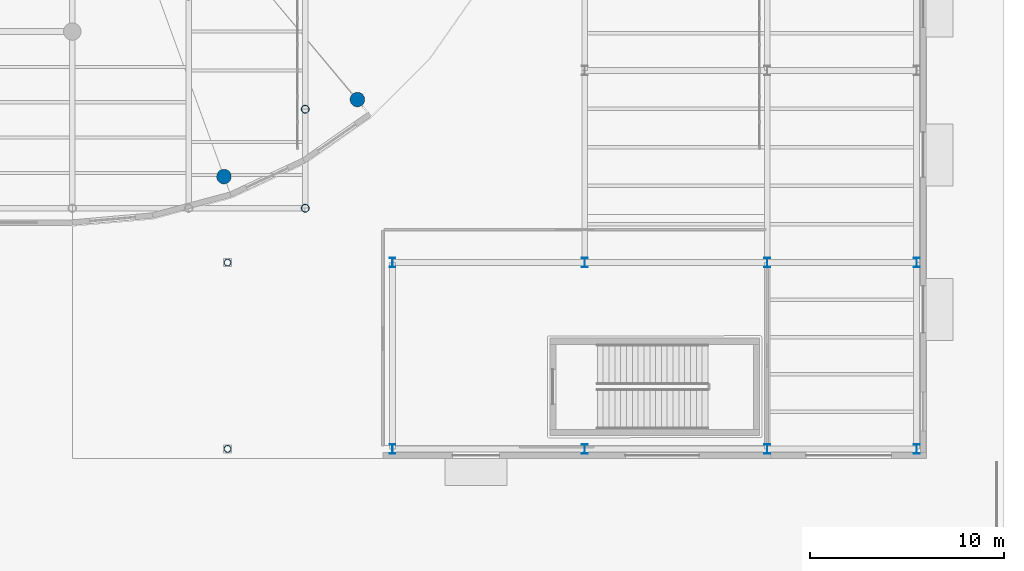
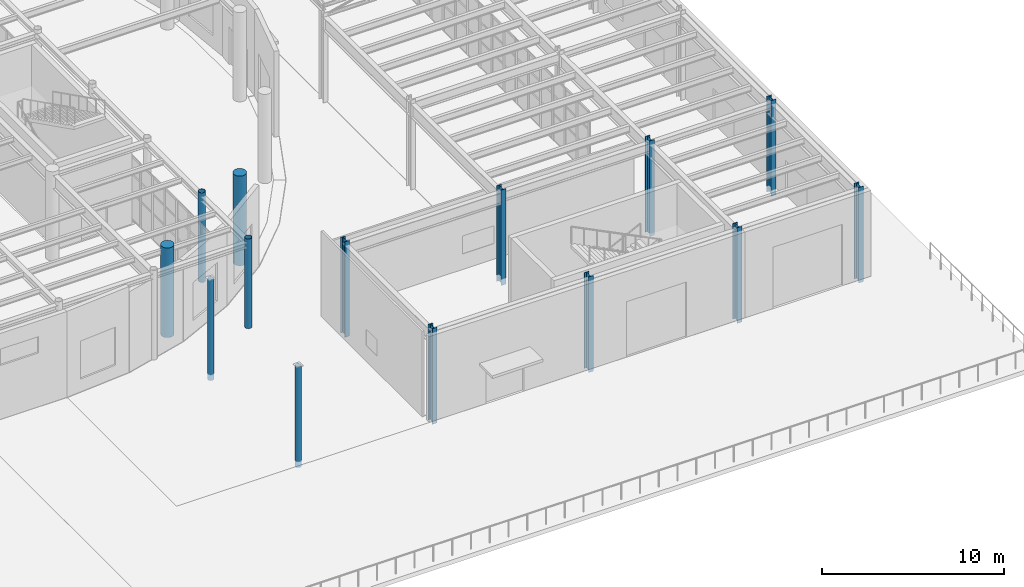
# One storey, part 13 of 118: 14 columns.
"""IFC4 building model written with IfcOpenShell, lengths in metres."""

from ifc_helpers import new_model, si_unit, direction, frame, origin, origin_2d, place, context, subcontext, project, spatial, circle, hollow_circle, i_section, extrude, material, material_profile, profile_set, type_object, element, save


model = new_model("IFC4")

# Units and contexts
model_context = context("Model", 3, precision=1e-05, world=origin(), true_north=direction((0.0, 1.0)))
body_context = subcontext(model_context, "Body", "Model", "MODEL_VIEW")
ifc_project = project(units=[si_unit("LENGTHUNIT", "METRE"), si_unit("AREAUNIT", "SQUARE_METRE"), si_unit("VOLUMEUNIT", "CUBIC_METRE"), si_unit("PLANEANGLEUNIT", "RADIAN"), si_unit("MASSUNIT", "GRAM", prefix="KILO")], contexts=[model_context])

# Site, building, storey
site_placement = place(None, origin())
site = spatial("IfcSite", under=ifc_project, at=site_placement, CompositionType="ELEMENT")
building_placement = place(site_placement, origin())
building = spatial("IfcBuilding", under=site, at=building_placement, Name="Kolvaren Corner Interchange", CompositionType="ELEMENT")
storey_placement = place(building_placement, origin())
storey = spatial("IfcBuildingStorey", under=building, at=storey_placement, Name="L01", CompositionType="ELEMENT", Elevation=0.0)

# Columns
ifc_material_1 = material(Name="Steel S355", Category="steel")
ifc_material_profile_1 = material_profile(ifc_material_1, hollow_circle(Radius=0.177734375, WallThickness=0.01416015625, at=origin_2d()), Name="CHS 355.6x14.2")
ifc_profile_set_1 = profile_set([ifc_material_profile_1], Name="Steel S355")
column_type_1 = type_object("IfcColumnType", Name="COL-CHS356", PredefinedType="COLUMN", material=ifc_profile_set_1)
for number, where, z_axis, x_axis, name in (
    (1, (128.0, 12.5, -0.39990234375), (0.0, 0.0, 1.0), (1.0, 0.0, 0.0), "Storey L01 Structural Column 0940"),
    (2, (128.0, 22.10009765625, -0.39990234375), (0.0, 0.0, 1.0), (1.0, 0.0, 0.0), "Storey L01 Structural Column 0941"),
):
    element("IfcColumn", number, at=place(storey_placement, frame(where, z_axis=z_axis, x_axis=x_axis)), inside=storey, type_object=column_type_1, Name=name, PredefinedType="COLUMN", context=body_context, shape_type="SweptSolid", body=[
        extrude(hollow_circle(Radius=0.177734375, WallThickness=0.01416015625, at=origin_2d()), origin(), (0.0, 0.0, 1.0), 6.75),
    ])
ifc_material_2 = material(Name="Steel S355", Category="steel")
ifc_material_profile_2 = material_profile(ifc_material_2, hollow_circle(Radius=0.203125, WallThickness=0.01611328125, at=origin_2d()), Name="CHS 406.4x16.0")
ifc_profile_set_2 = profile_set([ifc_material_profile_2], Name="Steel S355")
column_type_2 = type_object("IfcColumnType", Name="COL-CHS406", PredefinedType="COLUMN", material=ifc_profile_set_2)
for number, where, z_axis, x_axis, name in (
    (3, (132.0, 24.89990234375, 0.0), (0.0, 0.0, 1.0), (1.0, 0.0, 0.0), "Storey L01 Structural Column 0748"),
    (4, (132.0, 30.0, 0.0), (0.0, 0.0, 1.0), (1.0, 0.0, 0.0), "Storey L01 Structural Column 0752"),
):
    element("IfcColumn", number, at=place(storey_placement, frame(where, z_axis=z_axis, x_axis=x_axis)), inside=storey, type_object=column_type_2, Name=name, PredefinedType="COLUMN", context=body_context, shape_type="SweptSolid", body=[
        extrude(hollow_circle(Radius=0.203125, WallThickness=0.01611328125, at=origin_2d()), origin(), (0.0, 0.0, 1.0), 6.0),
    ])
ifc_material_3 = material(Name="Steel S355", Category="steel")
ifc_material_profile_3 = material_profile(ifc_material_3, i_section(OverallWidth=0.300048828125, OverallDepth=0.5, WebThickness=0.014404296875, FlangeThickness=0.028076171875, FilletRadius=0.027099609375, at=origin_2d()), Name="HEB 500")
ifc_profile_set_3 = profile_set([ifc_material_profile_3], Name="Steel S355")
column_type_3 = type_object("IfcColumnType", Name="COL-HEB500", PredefinedType="COLUMN", material=ifc_profile_set_3)
for number, where, z_axis, x_axis, name in (
    (5, (136.5, 12.5, -0.39990234375), (0.0, 0.0, 1.0), (1.0, 0.0, 0.0), "Storey L01 Structural Column 0946"),
    (6, (136.5, 22.10009765625, -0.39990234375), (0.0, 0.0, 1.0), (1.0, 0.0, 0.0), "Storey L01 Structural Column 0948"),
    (7, (146.39990234375, 12.5, -0.39990234375), (0.0, 0.0, 1.0), (1.0, 0.0, 0.0), "Storey L01 Structural Column 0954"),
    (8, (146.39990234375, 22.10009765625, -0.39990234375), (0.0, 0.0, 1.0), (1.0, 0.0, 0.0), "Storey L01 Structural Column 0956"),
    (9, (155.800048828125, 12.5, -0.39990234375), (0.0, 0.0, 1.0), (1.0, 0.0, 0.0), "Storey L01 Structural Column 0968"),
    (10, (155.800048828125, 22.10009765625, -0.39990234375), (0.0, 0.0, 1.0), (1.0, 0.0, 0.0), "Storey L01 Structural Column 0970"),
    (11, (163.5, 12.5, -0.39990234375), (0.0, 0.0, 1.0), (1.0, 0.0, 0.0), "Storey L01 Structural Column 0982"),
    (12, (163.5, 22.10009765625, -0.39990234375), (0.0, 0.0, 1.0), (1.0, 0.0, 0.0), "Storey L01 Structural Column 0984"),
):
    element("IfcColumn", number, at=place(storey_placement, frame(where, z_axis=z_axis, x_axis=x_axis)), inside=storey, type_object=column_type_3, Name=name, PredefinedType="COLUMN", context=body_context, shape_type="SweptSolid", body=[
        extrude(i_section(OverallWidth=0.300048828125, OverallDepth=0.5, WebThickness=0.014404296875, FlangeThickness=0.028076171875, FilletRadius=0.027099609375, at=origin_2d()), origin(), (0.0, 0.0, 1.0), 6.39990234375),
    ])
ifc_material_4 = material(Name="Concrete C35/45", Category="concrete")
ifc_material_profile_4 = material_profile(ifc_material_4, circle(Radius=0.375, at=origin_2d()), Name="RC COL D750")
ifc_profile_set_4 = profile_set([ifc_material_profile_4], Name="Concrete C35/45")
column_type_4 = type_object("IfcColumnType", Name="COL-RCD750", PredefinedType="COLUMN", material=ifc_profile_set_4)
for number, where, z_axis, x_axis, name in (
    (13, (127.81494140625, 26.528076171875, 0.0), (0.0, 0.0, 1.0), (1.0, 0.0, 0.0), "Storey L01 Structural Column 0816"),
    (14, (134.68798828125, 30.49609375, 0.0), (0.0, 0.0, 1.0), (1.0, 0.0, 0.0), "Storey L01 Structural Column 0820"),
):
    element("IfcColumn", number, at=place(storey_placement, frame(where, z_axis=z_axis, x_axis=x_axis)), inside=storey, type_object=column_type_4, Name=name, PredefinedType="COLUMN", context=body_context, shape_type="SweptSolid", body=[
        extrude(circle(Radius=0.375, at=origin_2d()), origin(), (0.0, 0.0, 1.0), 6.0),
    ])

save(model, "model.ifc")
